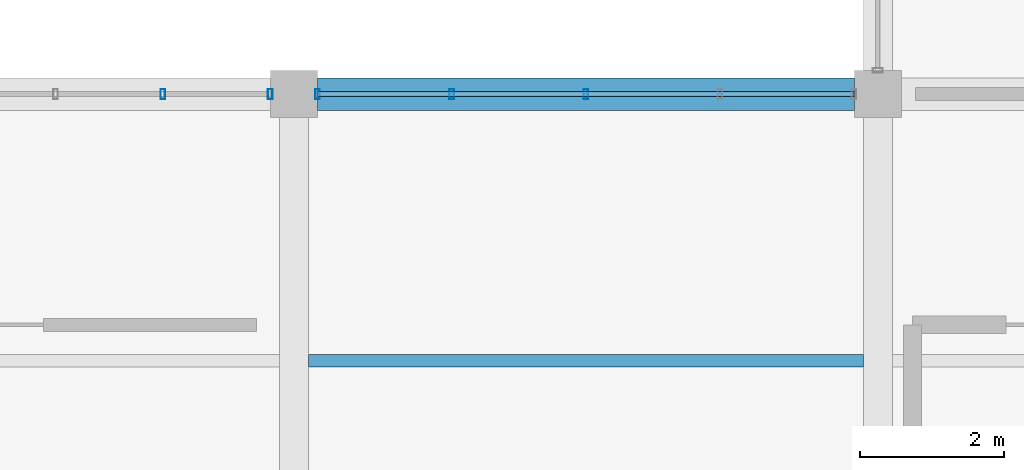
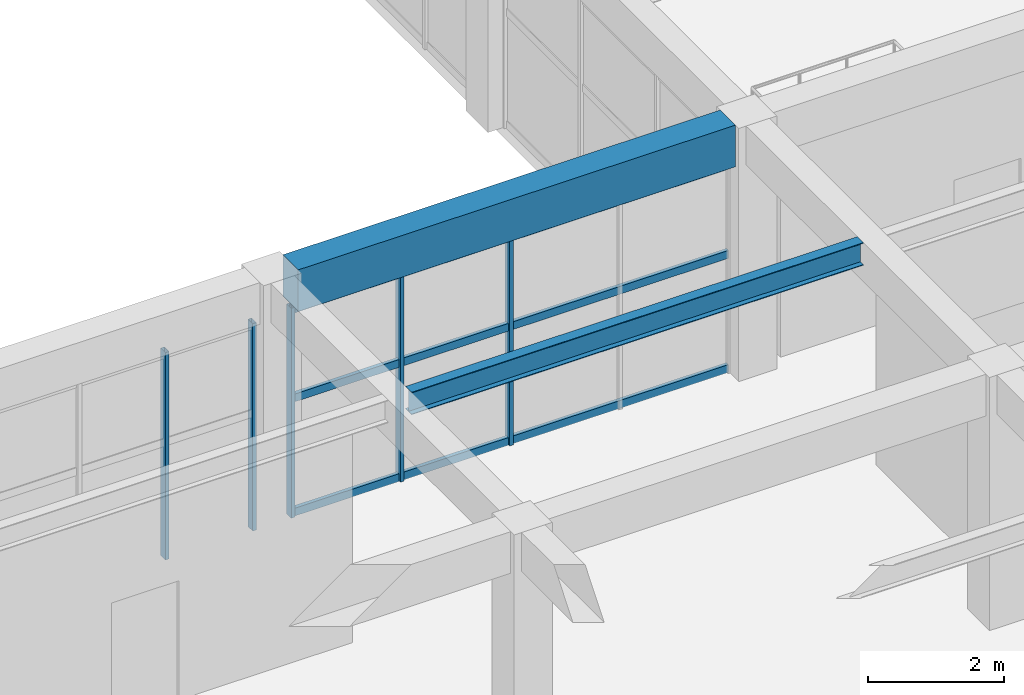
# One storey, part 107 of 161: 8 members, 2 beams, 2 elements without a shape of their own.
"""IFC4 building model written with IfcOpenShell, lengths in metres."""

from ifc_helpers import new_model, si_unit, direction, frame, origin, origin_2d, place, context, subcontext, project, spatial, rectangle, hollow_rectangle, i_section, extrude, material, material_profile, profile_set, type_object, element, aggregate, save


model = new_model("IFC4")

# Units and contexts
model_context = context("Model", 3, precision=1e-05, world=origin(), true_north=direction((0.0, 1.0)))
body_context = subcontext(model_context, "Body", "Model", "MODEL_VIEW")
ifc_project = project(units=[si_unit("LENGTHUNIT", "METRE"), si_unit("AREAUNIT", "SQUARE_METRE"), si_unit("VOLUMEUNIT", "CUBIC_METRE"), si_unit("PLANEANGLEUNIT", "RADIAN"), si_unit("MASSUNIT", "GRAM", prefix="KILO")], contexts=[model_context])

# Site, building, storey
site_placement = place(None, origin())
site = spatial("IfcSite", under=ifc_project, at=site_placement, CompositionType="ELEMENT")
building_placement = place(site_placement, origin())
building = spatial("IfcBuilding", under=site, at=building_placement, Name="Cimatlan Art Gallery", CompositionType="ELEMENT")
storey_placement = place(building_placement, frame((0.0, 0.0, 5.39990234375)))
storey = spatial("IfcBuildingStorey", under=building, at=storey_placement, Name="L01", CompositionType="ELEMENT", Elevation=5.39990234375)

# Beams
ifc_material_1 = material(Name="Concrete C40/50", Category="concrete")
ifc_material_profile_1 = material_profile(ifc_material_1, rectangle(XDim=0.449951171875, YDim=0.75, at=origin_2d()), Name="RC450X750")
ifc_profile_set_1 = profile_set([ifc_material_profile_1], Name="Concrete C40/50")
beam_type_1 = type_object("IfcBeamType", Name="BM-RC-450X750", PredefinedType="BEAM", material=ifc_profile_set_1)
beam_1_placement = place(storey_placement, frame((140.02490234375, 38.699951171875, 4.18505859375), z_axis=(1.0, 0.0, 0.0), x_axis=(0.0, 1.0, 0.0)))
element("IfcBeam", 1, at=beam_1_placement, inside=storey, type_object=beam_type_1, Name="BM-X-L01-17-05", PredefinedType="BEAM", context=body_context, shape_type="SweptSolid", body=[
    extrude(rectangle(XDim=0.449951171875, YDim=0.75, at=origin_2d()), origin(), (0.0, 0.0, 1.0), 7.4501953125),
])
ifc_material_2 = material(Name="Steel ASTM A992 Grade 50", Category="steel")
ifc_material_profile_2 = material_profile(ifc_material_2, i_section(OverallWidth=0.177978515625, OverallDepth=0.406982421875, WebThickness=0.0078125, FlangeThickness=0.0126953125, at=origin_2d()), Name="W16X40")
ifc_profile_set_2 = profile_set([ifc_material_profile_2], Name="Steel ASTM A992 Grade 50")
beam_type_2 = type_object("IfcBeamType", Name="BM-STL-W16X40", PredefinedType="JOIST", material=ifc_profile_set_2)
beam_2_placement = place(storey_placement, frame((139.89990234375, 35.0, 4.356689453125), z_axis=(1.0, 0.0, 0.0), x_axis=(0.0, 1.0, 0.0)))
element("IfcBeam", 2, at=beam_2_placement, inside=storey, type_object=beam_type_2, Name="JST-L01-17-04", PredefinedType="JOIST", context=body_context, shape_type="SweptSolid", body=[
    extrude(i_section(OverallWidth=0.177978515625, OverallDepth=0.406982421875, WebThickness=0.0078125, FlangeThickness=0.0126953125, at=origin_2d()), origin(), (0.0, 0.0, 1.0), 7.7001953125),
])

# Curtain wall, members
ifc_material_3 = material(Name="Anodised bronze unitised curtain wall")
curtain_wall_type_1 = type_object("IfcCurtainWallType", Name="CW-V-07442X03735-B5", PredefinedType="NOTDEFINED", material=ifc_material_3)
curtain_wall_1_placement = place(storey_placement, origin())
curtain_wall_1 = element("IfcCurtainWall", 3, at=curtain_wall_1_placement, inside=storey, type_object=curtain_wall_type_1, Name="CW-L01-16-04-N", PredefinedType="NOTDEFINED")
ifc_material_4 = material(Name="Anodised bronze aluminium 6063-T6", Category="aluminium")
ifc_material_profile_3 = material_profile(ifc_material_4, hollow_rectangle(XDim=0.06494140625, YDim=0.139892578125, WallThickness=0.00390625, at=origin_2d()), Name="ALU65X140X4")
ifc_profile_set_3 = profile_set([ifc_material_profile_3], Name="Anodised bronze aluminium 6063-T6")
member_type_1 = type_object("IfcMemberType", Name="CW-MUL-140", PredefinedType="MULLION", material=ifc_profile_set_3)
member_1_placement = place(storey_placement, frame((137.882568359375, 38.699951171875, 0.0), z_axis=(0.0, 0.0, 1.0), x_axis=(1.0, 0.0, 0.0)))
member_1 = element("IfcMember", 4, at=member_1_placement, type_object=member_type_1, Name="CW-L01-16-04-N-M5", PredefinedType="MULLION", context=body_context, shape_type="SweptSolid", body=[
    extrude(hollow_rectangle(XDim=0.06494140625, YDim=0.139892578125, WallThickness=0.00390625, at=origin_2d()), origin(), (0.0, 0.0, 1.0), 3.735107421875),
])
member_2_placement = place(storey_placement, frame((139.37109375, 38.699951171875, 0.0), z_axis=(0.0, 0.0, 1.0), x_axis=(1.0, 0.0, 0.0)))
member_2 = element("IfcMember", 5, at=member_2_placement, type_object=member_type_1, Name="CW-L01-16-04-N-M6", PredefinedType="MULLION", context=body_context, shape_type="SweptSolid", body=[
    extrude(hollow_rectangle(XDim=0.06494140625, YDim=0.139892578125, WallThickness=0.00390625, at=origin_2d()), origin(), (0.0, 0.0, 1.0), 3.735107421875),
])
aggregate(curtain_wall_1, [member_1, member_2])

curtain_wall_type_2 = type_object("IfcCurtainWallType", Name="CW-V-07442X03780-B4", PredefinedType="NOTDEFINED", material=ifc_material_3)
curtain_wall_2_placement = place(storey_placement, origin())
curtain_wall_2 = element("IfcCurtainWall", 6, at=curtain_wall_2_placement, inside=storey, type_object=curtain_wall_type_2, Name="CW-L01-17-04-N", PredefinedType="NOTDEFINED")
member_3_placement = place(storey_placement, frame((140.029052734375, 38.699951171875, 0.0), z_axis=(0.0, 0.0, 1.0), x_axis=(1.0, 0.0, 0.0)))
member_3 = element("IfcMember", 7, at=member_3_placement, type_object=member_type_1, Name="CW-L01-17-04-N-M1", PredefinedType="MULLION", context=body_context, shape_type="SweptSolid", body=[
    extrude(hollow_rectangle(XDim=0.06494140625, YDim=0.139892578125, WallThickness=0.00390625, at=origin_2d()), origin(), (0.0, 0.0, 1.0), 3.780029296875),
])
member_4_placement = place(storey_placement, frame((141.889404296875, 38.699951171875, 0.0), z_axis=(0.0, 0.0, 1.0), x_axis=(1.0, 0.0, 0.0)))
member_4 = element("IfcMember", 8, at=member_4_placement, type_object=member_type_1, Name="CW-L01-17-04-N-M2", PredefinedType="MULLION", context=body_context, shape_type="SweptSolid", body=[
    extrude(hollow_rectangle(XDim=0.06494140625, YDim=0.139892578125, WallThickness=0.00390625, at=origin_2d()), origin(), (0.0, 0.0, 1.0), 3.780029296875),
])
member_5_placement = place(storey_placement, frame((143.75, 38.699951171875, 0.0), z_axis=(0.0, 0.0, 1.0), x_axis=(1.0, 0.0, 0.0)))
member_5 = element("IfcMember", 9, at=member_5_placement, type_object=member_type_1, Name="CW-L01-17-04-N-M3", PredefinedType="MULLION", context=body_context, shape_type="SweptSolid", body=[
    extrude(hollow_rectangle(XDim=0.06494140625, YDim=0.139892578125, WallThickness=0.00390625, at=origin_2d()), origin(), (0.0, 0.0, 1.0), 3.780029296875),
])
ifc_material_profile_4 = material_profile(ifc_material_4, hollow_rectangle(XDim=0.06494140625, YDim=0.139892578125, WallThickness=0.00390625, at=origin_2d()), Name="ALU65X140X4")
ifc_profile_set_4 = profile_set([ifc_material_profile_4], Name="Anodised bronze aluminium 6063-T6")
member_type_2 = type_object("IfcMemberType", Name="CW-TRN-140", PredefinedType="USERDEFINED", material=ifc_profile_set_4)
member_6_placement = place(storey_placement, frame((140.029052734375, 38.699951171875, 0.06005859375), z_axis=(1.0, 0.0, 0.0), x_axis=(0.0, 1.0, 0.0)))
member_6 = element("IfcMember", 10, at=member_6_placement, type_object=member_type_2, Name="CW-L01-17-04-N-T1", ObjectType="TRANSOM", PredefinedType="USERDEFINED", context=body_context, shape_type="SweptSolid", body=[
    extrude(hollow_rectangle(XDim=0.06494140625, YDim=0.139892578125, WallThickness=0.00390625, at=origin_2d()), origin(), (0.0, 0.0, 1.0), 7.44189453125),
])
member_7_placement = place(storey_placement, frame((140.029052734375, 38.699951171875, 2.116943359375), z_axis=(1.0, 0.0, 0.0), x_axis=(0.0, 1.0, 0.0)))
member_7 = element("IfcMember", 11, at=member_7_placement, type_object=member_type_2, Name="CW-L01-17-04-N-T2", ObjectType="TRANSOM", PredefinedType="USERDEFINED", context=body_context, shape_type="SweptSolid", body=[
    extrude(hollow_rectangle(XDim=0.06494140625, YDim=0.139892578125, WallThickness=0.00390625, at=origin_2d()), origin(), (0.0, 0.0, 1.0), 7.44189453125),
])
member_8_placement = place(storey_placement, frame((140.029052734375, 38.699951171875, 3.72021484375), z_axis=(1.0, 0.0, 0.0), x_axis=(0.0, 1.0, 0.0)))
member_8 = element("IfcMember", 12, at=member_8_placement, type_object=member_type_2, Name="CW-L01-17-04-N-T3", ObjectType="TRANSOM", PredefinedType="USERDEFINED", context=body_context, shape_type="SweptSolid", body=[
    extrude(hollow_rectangle(XDim=0.06494140625, YDim=0.139892578125, WallThickness=0.00390625, at=origin_2d()), origin(), (0.0, 0.0, 1.0), 7.44189453125),
])
aggregate(curtain_wall_2, [member_3, member_4, member_5, member_6, member_7, member_8])

save(model, "model.ifc")
